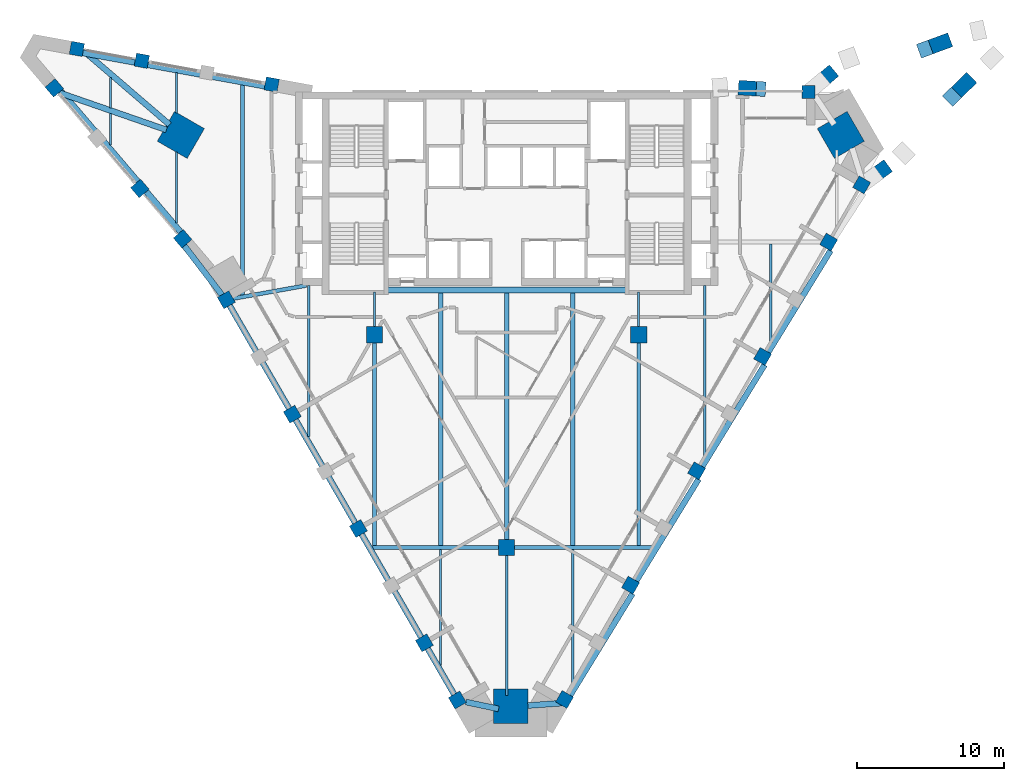
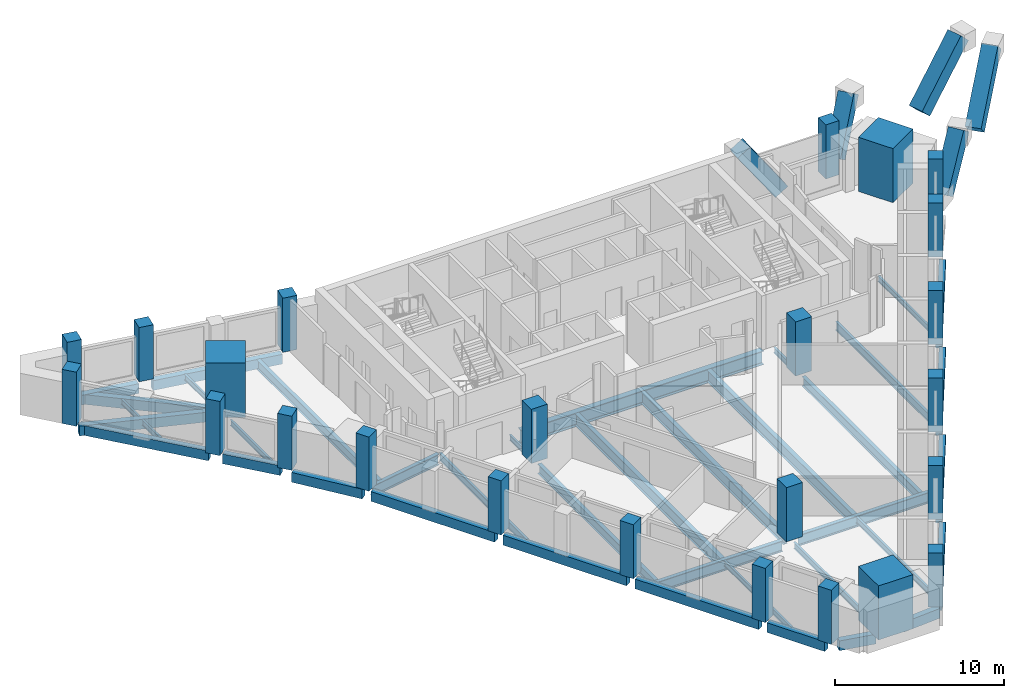
# One storey, part 1 of 9: 39 beams, 29 columns.
"""IFC4 building model written with IfcOpenShell, lengths in metres."""

from ifc_helpers import new_model, si_unit, direction, frame, origin, origin_2d, place, context, subcontext, project, spatial, rectangle, i_section, extrude, clip, halfspace, material, material_profile, profile_set, type_object, element, save


model = new_model("IFC4")

# Units and contexts
model_context = context("Model", 3, precision=1e-05, world=origin(), true_north=direction((0.0, 1.0)))
body_context = subcontext(model_context, "Body", "Model", "MODEL_VIEW")
ifc_project = project(units=[si_unit("LENGTHUNIT", "METRE"), si_unit("AREAUNIT", "SQUARE_METRE"), si_unit("VOLUMEUNIT", "CUBIC_METRE"), si_unit("PLANEANGLEUNIT", "RADIAN"), si_unit("MASSUNIT", "GRAM", prefix="KILO")], contexts=[model_context])

# Site, building, storey
site_placement = place(None, origin())
site = spatial("IfcSite", under=ifc_project, at=site_placement, CompositionType="ELEMENT")
building_placement = place(site_placement, origin())
building = spatial("IfcBuilding", under=site, at=building_placement, Name="Calabash Gate Tower", CompositionType="ELEMENT")
storey_placement = place(building_placement, frame((0.0, 0.0, 239.300048828125)))
storey = spatial("IfcBuildingStorey", under=building, at=storey_placement, Name="L57", CompositionType="ELEMENT", Elevation=239.300048828125)

# Columns
ifc_material_1 = material(Name="Concrete C60/75", Category="concrete")
ifc_material_profile_1 = material_profile(ifc_material_1, rectangle(XDim=1.10009765625, YDim=1.10009765625, at=origin_2d()))
ifc_profile_set_1 = profile_set([ifc_material_profile_1], Name="Concrete C60/75")
column_type_1 = type_object("IfcColumnType", Name="Interior column RC 1100x1100 Concrete C60/75", PredefinedType="COLUMN", material=ifc_profile_set_1)
for number, where, z_axis, x_axis, name in (
    (1, (-9.0, 2.5, 0.0), (0.0, 0.0, 1.0), (1.0, 0.0, 0.0), "Interior column L57 I0"),
    (2, (9.0, 2.5, 0.0), (0.0, 0.0, 1.0), (1.0, 0.0, 0.0), "Interior column L57 I1"),
    (3, (0.0, -12.0, 0.0), (0.0, 0.0, 1.0), (1.0, 0.0, 0.0), "Interior column L57 I2"),
):
    element("IfcColumn", number, at=place(storey_placement, frame(where, z_axis=z_axis, x_axis=x_axis)), inside=storey, type_object=column_type_1, Name=name, PredefinedType="COLUMN", context=body_context, shape_type="SweptSolid", body=[
        extrude(rectangle(XDim=1.10009765625, YDim=1.10009765625, at=origin_2d()), origin(), (0.0, 0.0, 1.0), 3.89990234375),
    ])
ifc_material_2 = material(Name="Concrete C70/85", Category="concrete")
ifc_material_profile_2 = material_profile(ifc_material_2, rectangle(XDim=2.35009765625, YDim=2.35009765625, at=origin_2d()))
ifc_profile_set_2 = profile_set([ifc_material_profile_2], Name="Concrete C70/85")
column_type_2 = type_object("IfcColumnType", Name="Mega column RC 2350x2350 Concrete C70/85", PredefinedType="COLUMN", material=ifc_profile_set_2)
for number, where, z_axis, x_axis, name in (
    (4, (-22.2060546875, 16.116943359375, 0.0), (0.0, 0.0, 1.0), (0.866025412511, -0.499999984885, 0.0), "Mega column L57 NW"),
    (5, (22.77392578125, 16.116943359375, 0.0), (0.0, 0.0, 1.0), (-0.866025412511, -0.499999984885, 0.0), "Mega column L57 NE"),
    (6, (0.283935546875, -22.8369140625, 0.0), (0.0, 0.0, 1.0), (0.0, 1.0, 0.0), "Mega column L57 S"),
):
    element("IfcColumn", number, at=place(storey_placement, frame(where, z_axis=z_axis, x_axis=x_axis)), inside=storey, type_object=column_type_2, Name=name, PredefinedType="COLUMN", context=body_context, shape_type="SweptSolid", body=[
        extrude(rectangle(XDim=2.35009765625, YDim=2.35009765625, at=origin_2d()), origin(), (0.0, 0.0, 1.0), 3.89990234375),
    ])
ifc_material_3 = material(Name="Concrete C60/75", Category="concrete")
ifc_material_profile_3 = material_profile(ifc_material_3, rectangle(XDim=0.89990234375, YDim=0.89990234375, at=origin_2d()))
ifc_profile_set_3 = profile_set([ifc_material_profile_3], Name="Concrete C60/75")
column_type_3 = type_object("IfcColumnType", Name="Perimeter column RC 900x900 Concrete C60/75", PredefinedType="COLUMN", material=ifc_profile_set_3)
for number, where, z_axis, x_axis, name in (
    (7, (-19.10693359375, 4.8779296875, 0.0), (0.0, 0.0, 1.0), (0.5, -0.866025403784, 0.0), "Perimeter column L57 P00"),
    (8, (-14.60693359375, -2.9169921875, 0.0), (0.0, 0.0, 1.0), (0.5, -0.866025403784, 0.0), "Perimeter column L57 P01"),
    (9, (-10.10693359375, -10.7109375, 0.0), (0.0, 0.0, 1.0), (0.5, -0.866025403784, 0.0), "Perimeter column L57 P02"),
    (10, (-5.60693359375, -18.5029296875, 0.0), (0.0, 0.0, 1.0), (0.5, -0.866025403784, 0.0), "Perimeter column L57 P03"),
    (11, (-3.35693359375, -22.402099609375, 0.0), (0.0, 0.0, 1.0), (0.5, -0.866025403784, 0.0), "Perimeter column L57 P25"),
    (12, (3.946044921875, -22.363037109375, 0.0), (0.0, 0.0, 1.0), (0.5, 0.866025403784, 0.0), "Perimeter column L57 P08"),
    (13, (8.446044921875, -14.571044921875, 0.0), (0.0, 0.0, 1.0), (0.5, 0.866025403784, 0.0), "Perimeter column L57 P09"),
    (14, (12.946044921875, -6.77587890625, 0.0), (0.0, 0.0, 1.0), (0.5, 0.866025403784, 0.0), "Perimeter column L57 P10"),
    (15, (17.446044921875, 1.01806640625, 0.0), (0.0, 0.0, 1.0), (0.5, 0.866025403784, 0.0), "Perimeter column L57 P11"),
    (16, (21.946044921875, 8.81201171875, 0.0), (0.0, 0.0, 1.0), (0.5, 0.866025403784, 0.0), "Perimeter column L57 P12"),
    (17, (24.196044921875, 12.708984375, 0.0), (0.0, 0.0, 1.0), (0.5, 0.866025403784, 0.0), "Perimeter column L57 P13"),
    (18, (20.576904296875, 19.052978515625, 0.0), (0.0, 0.0, 1.0), (-1.0, 0.0, 0.0), "Perimeter column L57 P24"),
    (19, (-16.012939453125, 19.551025390625, 0.0), (0.0, 0.0, 1.0), (-0.983669930074, 0.179981856499, 0.0), "Perimeter column L57 P31"),
    (20, (-24.865966796875, 21.1708984375, 0.0), (0.0, 0.0, 1.0), (-0.983669930074, 0.179981856499, 0.0), "Perimeter column L57 P32"),
    (21, (-29.29296875, 21.97998046875, 0.0), (0.0, 0.0, 1.0), (-0.983669930074, 0.179981856499, 0.0), "Perimeter column L57 P33"),
    (22, (-30.827880859375, 19.322021484375, 0.0), (0.0, 0.0, 1.0), (0.647703824985, -0.761892220133, 0.0), "Perimeter column L57 P34"),
    (23, (-24.998046875, 12.467041015625, 0.0), (0.0, 0.0, 1.0), (0.647703824985, -0.761892220133, 0.0), "Perimeter column L57 P20"),
    (24, (-22.083984375, 9.037109375, 0.0), (0.0, 0.0, 1.0), (0.647703824985, -0.761892220133, 0.0), "Perimeter column L57 P35"),
):
    element("IfcColumn", number, at=place(storey_placement, frame(where, z_axis=z_axis, x_axis=x_axis)), inside=storey, type_object=column_type_3, Name=name, PredefinedType="COLUMN", context=body_context, shape_type="SweptSolid", body=[
        extrude(rectangle(XDim=0.89990234375, YDim=0.89990234375, at=origin_2d()), origin(), (0.0, 0.0, 1.0), 3.89990234375),
    ])
ifc_material_4 = material(Name="Concrete C80/95", Category="concrete")
ifc_material_profile_4 = material_profile(ifc_material_4, rectangle(XDim=1.0, YDim=1.0, at=origin_2d()))
ifc_profile_set_4 = profile_set([ifc_material_profile_4], Name="Concrete C80/95")
column_type_4 = type_object("IfcColumnType", Name="Prow kicker column RC 1000x1000 Concrete C80/95", PredefinedType="COLUMN", material=ifc_profile_set_4)
column_1_placement = place(storey_placement, frame((25.02587890625, 13.31396484375, 0.39599609375), z_axis=(0.478242024109, 0.347950288453, 0.806359202305), x_axis=(-0.652042333369, -0.474400630939, 0.591426104309)))
element("IfcColumn", 25, at=column_1_placement, inside=storey, type_object=column_type_4, Name="Prow kicker column L57 KP36", PredefinedType="COLUMN", context=body_context, shape_type="Clipping", body=[
    clip(extrude(rectangle(XDim=1.0, YDim=1.0, at=origin_2d()), origin(), (0.0, 0.0, 1.0), 4.345458984375), halfspace(frame((0.0, 0.0, 3.973388671875), z_axis=(0.0, 0.0, 1.0), x_axis=(1.0, 0.0, 0.0)), False)),
])
column_2_placement = place(storey_placement, frame((30.29296875, 18.656982421875, 0.0), z_axis=(0.514569967643, 0.501375865909, 0.695586076258), x_axis=(-0.498199328917, -0.48542498715, 0.718442767739)))
element("IfcColumn", 26, at=column_2_placement, inside=storey, type_object=column_type_4, Name="Prow kicker column L57 KP37", PredefinedType="COLUMN", context=body_context, shape_type="Clipping", body=[
    clip(extrude(rectangle(XDim=1.0, YDim=1.0, at=origin_2d()), origin(), (0.0, 0.0, 1.0), 5.606689453125), halfspace(frame((0.0, 0.0, 5.084716796875), z_axis=(0.0, 0.0, 1.0), x_axis=(1.0, 0.0, 0.0)), False)),
])
column_3_placement = place(storey_placement, frame((28.429931640625, 21.93994140625, 0.0), z_axis=(0.666416996254, 0.245206544756, 0.704103783197), x_axis=(-0.660792364474, -0.243136974904, 0.710097079622)))
element("IfcColumn", 27, at=column_3_placement, inside=storey, type_object=column_type_4, Name="Prow kicker column L57 KP38", PredefinedType="COLUMN", context=body_context, shape_type="Clipping", body=[
    clip(extrude(rectangle(XDim=1.0, YDim=1.0, at=origin_2d()), origin(), (0.0, 0.0, 1.0), 5.538818359375), halfspace(frame((0.0, 0.0, 5.02880859375), z_axis=(0.0, 0.0, 1.0), x_axis=(1.0, 0.0, 0.0)), False)),
])
column_4_placement = place(storey_placement, frame((21.39697265625, 19.739013671875, 0.391845703125), z_axis=(0.447960914657, 0.374807146122, 0.811696139054), x_axis=(-0.622531470704, -0.520869647934, 0.584079941313)))
element("IfcColumn", 28, at=column_4_placement, inside=storey, type_object=column_type_4, Name="Prow kicker column L57 KP39", PredefinedType="COLUMN", context=body_context, shape_type="Clipping", body=[
    clip(extrude(rectangle(XDim=1.0, YDim=1.0, at=origin_2d()), origin(), (0.0, 0.0, 1.0), 4.32177734375), halfspace(frame((0.0, 0.0, 3.954833984375), z_axis=(0.0, 0.0, 1.0), x_axis=(1.0, 0.0, 0.0)), False)),
])
column_5_placement = place(storey_placement, frame((17.237060546875, 19.256103515625, 0.0), z_axis=(-0.567902108836, 0.034338745952, 0.822379501998), x_axis=(0.820880247735, -0.04963531187, 0.568939324264)))
element("IfcColumn", 29, at=column_5_placement, inside=storey, type_object=column_type_4, Name="Prow kicker column L57 KP40", PredefinedType="COLUMN", context=body_context, shape_type="Clipping", body=[
    clip(extrude(rectangle(XDim=1.0, YDim=1.0, at=origin_2d()), origin(), (0.0, 0.0, 1.0), 4.7421875), halfspace(frame((0.0, 0.0, 4.392333984375), z_axis=(0.0, 0.0, 1.0), x_axis=(1.0, 0.0, 0.0)), False)),
])

# Beams
ifc_material_5 = material(Name="Concrete C50/60", Category="concrete")
ifc_material_profile_5 = material_profile(ifc_material_5, rectangle(XDim=0.39990234375, YDim=0.699951171875, at=origin_2d()))
ifc_profile_set_5 = profile_set([ifc_material_profile_5], Name="Concrete C50/60")
beam_type_1 = type_object("IfcBeamType", Name="Edge beam RC 400x700 Concrete C50/60", PredefinedType="BEAM", material=ifc_profile_set_5)
beam_1_placement = place(storey_placement, frame((-14.39306640625, -3.282958984375, -0.52001953125), z_axis=(0.499782711929, -0.86615081877, 0.0), x_axis=(0.86615081877, 0.499782711929, 0.0)))
element("IfcBeam", 30, at=beam_1_placement, inside=storey, type_object=beam_type_1, Name="Edge beam L57 1", PredefinedType="BEAM", context=body_context, shape_type="SweptSolid", body=[
    extrude(rectangle(XDim=0.39990234375, YDim=0.699951171875, at=origin_2d()), origin(), (0.0, 0.0, 1.0), 8.417724609375),
])
beam_2_placement = place(storey_placement, frame((-9.89306640625, -11.0791015625, -0.52001953125), z_axis=(0.499895729157, -0.866085596215, 0.0), x_axis=(0.866085596215, 0.499895729157, 0.0)))
element("IfcBeam", 31, at=beam_2_placement, inside=storey, type_object=beam_type_1, Name="Edge beam L57 2", PredefinedType="BEAM", context=body_context, shape_type="SweptSolid", body=[
    extrude(rectangle(XDim=0.39990234375, YDim=0.699951171875, at=origin_2d()), origin(), (0.0, 0.0, 1.0), 8.415771484375),
])
beam_3_placement = place(storey_placement, frame((-5.39306640625, -18.873046875, -0.52001953125), z_axis=(0.499976213158, -0.866039136689, 0.0), x_axis=(0.866039136689, 0.499976213158, 0.0)))
element("IfcBeam", 32, at=beam_3_placement, inside=storey, type_object=beam_type_1, Name="Edge beam L57 3", PredefinedType="BEAM", context=body_context, shape_type="SweptSolid", body=[
    extrude(rectangle(XDim=0.39990234375, YDim=0.699951171875, at=origin_2d()), origin(), (0.0, 0.0, 1.0), 3.914306640625),
])
beam_4_placement = place(storey_placement, frame((-2.780029296875, -22.533935546875, -0.52001953125), z_axis=(0.978365528321, -0.206883766868, 0.0), x_axis=(0.206883766868, 0.978365528321, 0.0)))
element("IfcBeam", 33, at=beam_4_placement, inside=storey, type_object=beam_type_1, Name="Edge beam L57 4", PredefinedType="BEAM", context=body_context, shape_type="SweptSolid", body=[
    extrude(rectangle(XDim=0.39990234375, YDim=0.699951171875, at=origin_2d()), origin(), (0.0, 0.0, 1.0), 2.2822265625),
])
beam_5_placement = place(storey_placement, frame((1.447021484375, -22.777099609375, -0.52001953125), z_axis=(0.997431969311, 0.071620294589, 0.0), x_axis=(-0.071620294589, 0.997431969311, 0.0)))
element("IfcBeam", 34, at=beam_5_placement, inside=storey, type_object=beam_type_1, Name="Edge beam L57 5", PredefinedType="BEAM", context=body_context, shape_type="SweptSolid", body=[
    extrude(rectangle(XDim=0.39990234375, YDim=0.699951171875, at=origin_2d()), origin(), (0.0, 0.0, 1.0), 2.556640625),
])
beam_6_placement = place(storey_placement, frame((4.323974609375, -22.089111328125, -0.52001953125), z_axis=(0.522633729228, 0.852557320696, 0.0), x_axis=(-0.852557320696, 0.522633729228, 0.0)))
element("IfcBeam", 35, at=beam_6_placement, inside=storey, type_object=beam_type_1, Name="Edge beam L57 6", PredefinedType="BEAM", context=body_context, shape_type="SweptSolid", body=[
    extrude(rectangle(XDim=0.39990234375, YDim=0.699951171875, at=origin_2d()), origin(), (0.0, 0.0, 1.0), 8.147216796875),
])
beam_7_placement = place(storey_placement, frame((8.823974609375, -14.2939453125, -0.52001953125), z_axis=(0.522700496269, 0.852516387643, 0.0), x_axis=(-0.852516387643, 0.522700496269, 0.0)))
element("IfcBeam", 36, at=beam_7_placement, inside=storey, type_object=beam_type_1, Name="Edge beam L57 7", PredefinedType="BEAM", context=body_context, shape_type="SweptSolid", body=[
    extrude(rectangle(XDim=0.39990234375, YDim=0.699951171875, at=origin_2d()), origin(), (0.0, 0.0, 1.0), 8.146240234375),
])
beam_8_placement = place(storey_placement, frame((13.323974609375, -6.5, -0.52001953125), z_axis=(0.522580325568, 0.852590055847, 0.0), x_axis=(-0.852590055847, 0.522580325568, 0.0)))
element("IfcBeam", 37, at=beam_8_placement, inside=storey, type_object=beam_type_1, Name="Edge beam L57 8", PredefinedType="BEAM", context=body_context, shape_type="SweptSolid", body=[
    extrude(rectangle(XDim=0.39990234375, YDim=0.699951171875, at=origin_2d()), origin(), (0.0, 0.0, 1.0), 8.148193359375),
])
beam_9_placement = place(storey_placement, frame((17.823974609375, 1.2939453125, -0.52001953125), z_axis=(0.522633729228, 0.852557320696, 0.0), x_axis=(-0.852557320696, 0.522633729228, 0.0)))
element("IfcBeam", 38, at=beam_9_placement, inside=storey, type_object=beam_type_1, Name="Edge beam L57 9", PredefinedType="BEAM", context=body_context, shape_type="SweptSolid", body=[
    extrude(rectangle(XDim=0.39990234375, YDim=0.699951171875, at=origin_2d()), origin(), (0.0, 0.0, 1.0), 8.147216796875),
])
beam_10_placement = place(storey_placement, frame((-16.491943359375, 19.43701171875, -0.52001953125), z_axis=(-0.983710376503, 0.179760660767, 0.0), x_axis=(-0.179760660767, -0.983710376503, 0.0)))
element("IfcBeam", 39, at=beam_10_placement, inside=storey, type_object=beam_type_1, Name="Edge beam L57 13", PredefinedType="BEAM", context=body_context, shape_type="SweptSolid", body=[
    extrude(rectangle(XDim=0.39990234375, YDim=0.699951171875, at=origin_2d()), origin(), (0.0, 0.0, 1.0), 8.099853515625),
])
beam_11_placement = place(storey_placement, frame((-25.343017578125, 21.056884765625, -0.52001953125), z_axis=(-0.983780846892, 0.179374594879, 0.0), x_axis=(-0.179374594879, -0.983780846892, 0.0)))
element("IfcBeam", 40, at=beam_11_placement, inside=storey, type_object=beam_type_1, Name="Edge beam L57 14", PredefinedType="BEAM", context=body_context, shape_type="SweptSolid", body=[
    extrude(rectangle(XDim=0.39990234375, YDim=0.699951171875, at=origin_2d()), origin(), (0.0, 0.0, 1.0), 3.601318359375),
])
beam_12_placement = place(storey_placement, frame((-28.873046875, 21.883056640625, -0.52001953125), z_axis=(0.758517949113, -0.651652147141, 0.0), x_axis=(0.651652147141, 0.758517949113, 0.0)))
element("IfcBeam", 41, at=beam_12_placement, inside=storey, type_object=beam_type_1, Name="Edge beam L57 15", PredefinedType="BEAM", context=body_context, shape_type="SweptSolid", body=[
    extrude(rectangle(XDim=0.39990234375, YDim=0.699951171875, at=origin_2d()), origin(), (0.0, 0.0, 1.0), 7.7744140625),
])
beam_13_placement = place(storey_placement, frame((-23.18408203125, 16.45703125, -0.52001953125), z_axis=(-0.944686766609, 0.3279739517, 0.0), x_axis=(-0.3279739517, -0.944686766609, 0.0)))
element("IfcBeam", 42, at=beam_13_placement, inside=storey, type_object=beam_type_1, Name="Edge beam L57 16", PredefinedType="BEAM", context=body_context, shape_type="SweptSolid", body=[
    extrude(rectangle(XDim=0.39990234375, YDim=0.699951171875, at=origin_2d()), origin(), (0.0, 0.0, 1.0), 7.778076171875),
])
beam_14_placement = place(storey_placement, frame((-30.384033203125, 19.10888671875, -0.52001953125), z_axis=(0.647777896435, -0.761829243919, 0.0), x_axis=(0.761829243919, 0.647777896435, 0.0)))
element("IfcBeam", 43, at=beam_14_placement, inside=storey, type_object=beam_type_1, Name="Edge beam L57 17", PredefinedType="BEAM", context=body_context, shape_type="SweptSolid", body=[
    extrude(rectangle(XDim=0.39990234375, YDim=0.699951171875, at=origin_2d()), origin(), (0.0, 0.0, 1.0), 8.10009765625),
])
beam_15_placement = place(storey_placement, frame((-24.553955078125, 12.251953125, -0.52001953125), z_axis=(0.647579511056, -0.761997885076, 0.0), x_axis=(0.761997885076, 0.647579511056, 0.0)))
element("IfcBeam", 44, at=beam_15_placement, inside=storey, type_object=beam_type_1, Name="Edge beam L57 18", PredefinedType="BEAM", context=body_context, shape_type="SweptSolid", body=[
    extrude(rectangle(XDim=0.39990234375, YDim=0.699951171875, at=origin_2d()), origin(), (0.0, 0.0, 1.0), 3.599609375),
])
beam_16_placement = place(storey_placement, frame((-21.972900390625, 8.56689453125, -0.52001953125), z_axis=(0.607868337106, -0.794037835839, 0.0), x_axis=(0.794037835839, 0.607868337106, 0.0)))
element("IfcBeam", 45, at=beam_16_placement, inside=storey, type_object=beam_type_1, Name="Edge beam L57 19", PredefinedType="BEAM", context=body_context, shape_type="SweptSolid", body=[
    extrude(rectangle(XDim=0.39990234375, YDim=0.699951171875, at=origin_2d()), origin(), (0.0, 0.0, 1.0), 4.505859375),
])
beam_17_placement = place(storey_placement, frame((-18.89306640625, 4.510009765625, -0.52001953125), z_axis=(0.499832936549, -0.86612183643, 0.0), x_axis=(0.86612183643, 0.499832936549, 0.0)))
element("IfcBeam", 46, at=beam_17_placement, inside=storey, type_object=beam_type_1, Name="Edge beam L57 20", PredefinedType="BEAM", context=body_context, shape_type="SweptSolid", body=[
    extrude(rectangle(XDim=0.39990234375, YDim=0.699951171875, at=origin_2d()), origin(), (0.0, 0.0, 1.0), 8.4169921875),
])
ifc_material_6 = material(Name="Steel ASTM A992 Gr50", Category="steel")
ifc_material_profile_6 = material_profile(ifc_material_6, i_section(OverallWidth=0.1396484375, OverallDepth=0.398681640625, WebThickness=0.00634765625, FlangeThickness=0.0087890625, FilletRadius=0.01025390625, at=origin_2d()))
ifc_profile_set_6 = profile_set([ifc_material_profile_6], Name="Steel ASTM A992 Gr50")
beam_type_2 = type_object("IfcBeamType", Name="Floor beam W16x26 ASTM A992 Gr50", PredefinedType="BEAM", material=ifc_profile_set_6)
beam_18_placement = place(storey_placement, frame((-27.0, 15.416015625, -0.369140625), z_axis=(0.0, 1.0, 0.0), x_axis=(-1.0, 0.0, 0.0)))
element("IfcBeam", 47, at=beam_18_placement, inside=storey, type_object=beam_type_2, Name="Floor beam L57 1", PredefinedType="BEAM", context=body_context, shape_type="SweptSolid", body=[
    extrude(i_section(OverallWidth=0.1396484375, OverallDepth=0.398681640625, WebThickness=0.00634765625, FlangeThickness=0.0087890625, FilletRadius=0.01025390625, at=origin_2d()), origin(), (0.0, 0.0, 1.0), 2.1650390625),
])
beam_19_placement = place(storey_placement, frame((-27.0, 17.9609375, -0.369140625), z_axis=(0.0, 1.0, 0.0), x_axis=(-1.0, 0.0, 0.0)))
element("IfcBeam", 48, at=beam_19_placement, inside=storey, type_object=beam_type_2, Name="Floor beam L57 2", PredefinedType="BEAM", context=body_context, shape_type="SweptSolid", body=[
    extrude(i_section(OverallWidth=0.1396484375, OverallDepth=0.398681640625, WebThickness=0.00634765625, FlangeThickness=0.0087890625, FilletRadius=0.01025390625, at=origin_2d()), origin(), (0.0, 0.0, 1.0), 2.071044921875),
])
beam_20_placement = place(storey_placement, frame((-22.5, 10.1220703125, -0.369140625), z_axis=(0.0, 1.0, 0.0), x_axis=(-1.0, 0.0, 0.0)))
element("IfcBeam", 49, at=beam_20_placement, inside=storey, type_object=beam_type_2, Name="Floor beam L57 3", PredefinedType="BEAM", context=body_context, shape_type="SweptSolid", body=[
    extrude(i_section(OverallWidth=0.1396484375, OverallDepth=0.398681640625, WebThickness=0.00634765625, FlangeThickness=0.0087890625, FilletRadius=0.01025390625, at=origin_2d()), origin(), (0.0, 0.0, 1.0), 4.830810546875),
])
beam_21_placement = place(storey_placement, frame((-22.5, 17.6201171875, -0.369140625), z_axis=(0.0, 1.0, 0.0), x_axis=(-1.0, 0.0, 0.0)))
element("IfcBeam", 50, at=beam_21_placement, inside=storey, type_object=beam_type_2, Name="Floor beam L57 4", PredefinedType="BEAM", context=body_context, shape_type="SweptSolid", body=[
    extrude(i_section(OverallWidth=0.1396484375, OverallDepth=0.398681640625, WebThickness=0.00634765625, FlangeThickness=0.0087890625, FilletRadius=0.01025390625, at=origin_2d()), origin(), (0.0, 0.0, 1.0), 2.742919921875),
])
beam_22_placement = place(storey_placement, frame((-9.0, 3.050048828125, -0.369140625), z_axis=(0.0, 1.0, 0.0), x_axis=(-1.0, 0.0, 0.0)))
element("IfcBeam", 51, at=beam_22_placement, inside=storey, type_object=beam_type_2, Name="Floor beam L57 8", PredefinedType="BEAM", context=body_context, shape_type="SweptSolid", body=[
    extrude(i_section(OverallWidth=0.1396484375, OverallDepth=0.398681640625, WebThickness=0.00634765625, FlangeThickness=0.0087890625, FilletRadius=0.01025390625, at=origin_2d()), origin(), (0.0, 0.0, 1.0), 2.35302734375),
])
beam_23_placement = place(storey_placement, frame((-4.5, -20.053955078125, -0.369140625), z_axis=(0.0, 1.0, 0.0), x_axis=(-1.0, 0.0, 0.0)))
element("IfcBeam", 52, at=beam_23_placement, inside=storey, type_object=beam_type_2, Name="Floor beam L57 9", PredefinedType="BEAM", context=body_context, shape_type="SweptSolid", body=[
    extrude(i_section(OverallWidth=0.1396484375, OverallDepth=0.398681640625, WebThickness=0.00634765625, FlangeThickness=0.0087890625, FilletRadius=0.01025390625, at=origin_2d()), origin(), (0.0, 0.0, 1.0), 7.9208984375),
])
beam_24_placement = place(storey_placement, frame((9.0, 3.050048828125, -0.369140625), z_axis=(0.0, 1.0, 0.0), x_axis=(-1.0, 0.0, 0.0)))
element("IfcBeam", 53, at=beam_24_placement, inside=storey, type_object=beam_type_2, Name="Floor beam L57 16", PredefinedType="BEAM", context=body_context, shape_type="SweptSolid", body=[
    extrude(i_section(OverallWidth=0.1396484375, OverallDepth=0.398681640625, WebThickness=0.00634765625, FlangeThickness=0.0087890625, FilletRadius=0.01025390625, at=origin_2d()), origin(), (0.0, 0.0, 1.0), 2.35302734375),
])
beam_25_placement = place(storey_placement, frame((18.0, 1.947021484375, -0.369140625), z_axis=(0.0, 1.0, 0.0), x_axis=(-1.0, 0.0, 0.0)))
element("IfcBeam", 54, at=beam_25_placement, inside=storey, type_object=beam_type_2, Name="Floor beam L57 18", PredefinedType="BEAM", context=body_context, shape_type="SweptSolid", body=[
    extrude(i_section(OverallWidth=0.1396484375, OverallDepth=0.398681640625, WebThickness=0.00634765625, FlangeThickness=0.0087890625, FilletRadius=0.01025390625, at=origin_2d()), origin(), (0.0, 0.0, 1.0), 6.73193359375),
])
ifc_material_7 = material(Name="Steel ASTM A992 Gr50", Category="steel")
ifc_material_profile_7 = material_profile(ifc_material_7, i_section(OverallWidth=0.15234375, OverallDepth=0.44970703125, WebThickness=0.007568359375, FlangeThickness=0.0107421875, FilletRadius=0.01025390625, at=origin_2d()))
ifc_profile_set_7 = profile_set([ifc_material_profile_7], Name="Steel ASTM A992 Gr50")
beam_type_3 = type_object("IfcBeamType", Name="Floor beam W18x35 ASTM A992 Gr50", PredefinedType="BEAM", material=ifc_profile_set_7)
beam_26_placement = place(storey_placement, frame((0.0, -22.093994140625, -0.39306640625), z_axis=(0.0, 1.0, 0.0), x_axis=(-1.0, 0.0, 0.0)))
element("IfcBeam", 55, at=beam_26_placement, inside=storey, type_object=beam_type_3, Name="Floor beam L57 11", PredefinedType="BEAM", context=body_context, shape_type="SweptSolid", body=[
    extrude(i_section(OverallWidth=0.15234375, OverallDepth=0.44970703125, WebThickness=0.007568359375, FlangeThickness=0.0107421875, FilletRadius=0.01025390625, at=origin_2d()), origin(), (0.0, 0.0, 1.0), 9.5439453125),
])
beam_27_placement = place(storey_placement, frame((4.5, -21.43701171875, -0.39306640625), z_axis=(0.0, 1.0, 0.0), x_axis=(-1.0, 0.0, 0.0)))
element("IfcBeam", 56, at=beam_27_placement, inside=storey, type_object=beam_type_3, Name="Floor beam L57 13", PredefinedType="BEAM", context=body_context, shape_type="SweptSolid", body=[
    extrude(i_section(OverallWidth=0.15234375, OverallDepth=0.44970703125, WebThickness=0.007568359375, FlangeThickness=0.0107421875, FilletRadius=0.01025390625, at=origin_2d()), origin(), (0.0, 0.0, 1.0), 9.303955078125),
])
ifc_material_8 = material(Name="Steel ASTM A992 Gr50", Category="steel")
ifc_material_profile_8 = material_profile(ifc_material_8, i_section(OverallWidth=0.166015625, OverallDepth=0.5283203125, WebThickness=0.009765625, FlangeThickness=0.013671875, FilletRadius=0.0126953125, at=origin_2d()))
ifc_profile_set_8 = profile_set([ifc_material_profile_8], Name="Steel ASTM A992 Gr50")
beam_type_4 = type_object("IfcBeamType", Name="Floor beam W21x50 ASTM A992 Gr50", PredefinedType="BEAM", material=ifc_profile_set_8)
beam_28_placement = place(storey_placement, frame((-13.5, -4.446044921875, -0.43408203125), z_axis=(0.0, 1.0, 0.0), x_axis=(-1.0, 0.0, 0.0)))
element("IfcBeam", 57, at=beam_28_placement, inside=storey, type_object=beam_type_4, Name="Floor beam L57 6", PredefinedType="BEAM", context=body_context, shape_type="SweptSolid", body=[
    extrude(i_section(OverallWidth=0.166015625, OverallDepth=0.5283203125, WebThickness=0.009765625, FlangeThickness=0.013671875, FilletRadius=0.0126953125, at=origin_2d()), origin(), (0.0, 0.0, 1.0), 10.299072265625),
])
ifc_material_9 = material(Name="Steel ASTM A992 Gr50", Category="steel")
ifc_material_profile_9 = material_profile(ifc_material_9, i_section(OverallWidth=0.1787109375, OverallDepth=0.60205078125, WebThickness=0.010986328125, FlangeThickness=0.014892578125, FilletRadius=0.0126953125, at=origin_2d()))
ifc_profile_set_9 = profile_set([ifc_material_profile_9], Name="Steel ASTM A992 Gr50")
beam_type_5 = type_object("IfcBeamType", Name="Floor beam W24x62 ASTM A992 Gr50", PredefinedType="BEAM", material=ifc_profile_set_9)
beam_29_placement = place(storey_placement, frame((13.5, -5.84912109375, -0.470947265625), z_axis=(0.0, 1.0, 0.0), x_axis=(-1.0, 0.0, 0.0)))
element("IfcBeam", 58, at=beam_29_placement, inside=storey, type_object=beam_type_5, Name="Floor beam L57 17", PredefinedType="BEAM", context=body_context, shape_type="SweptSolid", body=[
    extrude(i_section(OverallWidth=0.1787109375, OverallDepth=0.60205078125, WebThickness=0.010986328125, FlangeThickness=0.014892578125, FilletRadius=0.0126953125, at=origin_2d()), origin(), (0.0, 0.0, 1.0), 11.7021484375),
])
ifc_material_10 = material(Name="Steel ASTM A992 Gr50", Category="steel")
ifc_material_profile_10 = material_profile(ifc_material_10, i_section(OverallWidth=0.25390625, OverallDepth=0.67822265625, WebThickness=0.01171875, FlangeThickness=0.016357421875, FilletRadius=0.01513671875, at=origin_2d()))
ifc_profile_set_10 = profile_set([ifc_material_profile_10], Name="Steel ASTM A992 Gr50")
beam_type_6 = type_object("IfcBeamType", Name="Floor beam W27x84 ASTM A992 Gr50", PredefinedType="BEAM", material=ifc_profile_set_10)
beam_30_placement = place(storey_placement, frame((-18.0, 5.179931640625, -0.509033203125), z_axis=(0.0, 1.0, 0.0), x_axis=(-1.0, 0.0, 0.0)))
element("IfcBeam", 59, at=beam_30_placement, inside=storey, type_object=beam_type_6, Name="Floor beam L57 5", PredefinedType="BEAM", context=body_context, shape_type="SweptSolid", body=[
    extrude(i_section(OverallWidth=0.25390625, OverallDepth=0.67822265625, WebThickness=0.01171875, FlangeThickness=0.016357421875, FilletRadius=0.01513671875, at=origin_2d()), origin(), (0.0, 0.0, 1.0), 14.360107421875),
])
beam_31_placement = place(storey_placement, frame((-9.0, -11.8798828125, -0.509033203125), z_axis=(0.0, 1.0, 0.0), x_axis=(-1.0, 0.0, 0.0)))
element("IfcBeam", 60, at=beam_31_placement, inside=storey, type_object=beam_type_6, Name="Floor beam L57 7", PredefinedType="BEAM", context=body_context, shape_type="SweptSolid", body=[
    extrude(i_section(OverallWidth=0.25390625, OverallDepth=0.67822265625, WebThickness=0.01171875, FlangeThickness=0.016357421875, FilletRadius=0.01513671875, at=origin_2d()), origin(), (0.0, 0.0, 1.0), 13.829833984375),
])
beam_32_placement = place(storey_placement, frame((9.0, -11.866943359375, -0.509033203125), z_axis=(0.0, 1.0, 0.0), x_axis=(-1.0, 0.0, 0.0)))
element("IfcBeam", 61, at=beam_32_placement, inside=storey, type_object=beam_type_6, Name="Floor beam L57 15", PredefinedType="BEAM", context=body_context, shape_type="SweptSolid", body=[
    extrude(i_section(OverallWidth=0.25390625, OverallDepth=0.67822265625, WebThickness=0.01171875, FlangeThickness=0.016357421875, FilletRadius=0.01513671875, at=origin_2d()), origin(), (0.0, 0.0, 1.0), 13.81689453125),
])
ifc_material_11 = material(Name="Steel ASTM A992 Gr50", Category="steel")
ifc_material_profile_11 = material_profile(ifc_material_11, i_section(OverallWidth=0.2919921875, OverallDepth=0.845703125, WebThickness=0.015380859375, FlangeThickness=0.0244140625, FilletRadius=0.017822265625, at=origin_2d()))
ifc_profile_set_11 = profile_set([ifc_material_profile_11], Name="Steel ASTM A992 Gr50")
beam_type_7 = type_object("IfcBeamType", Name="Floor beam W33x141 ASTM A992 Gr50", PredefinedType="BEAM", material=ifc_profile_set_11)
beam_33_placement = place(storey_placement, frame((-4.5, -11.866943359375, -0.593017578125), z_axis=(0.0, 1.0, 0.0), x_axis=(-1.0, 0.0, 0.0)))
element("IfcBeam", 62, at=beam_33_placement, inside=storey, type_object=beam_type_7, Name="Floor beam L57 10", PredefinedType="BEAM", context=body_context, shape_type="SweptSolid", body=[
    extrude(i_section(OverallWidth=0.2919921875, OverallDepth=0.845703125, WebThickness=0.015380859375, FlangeThickness=0.0244140625, FilletRadius=0.017822265625, at=origin_2d()), origin(), (0.0, 0.0, 1.0), 17.218994140625),
])
beam_34_placement = place(storey_placement, frame((0.0, -11.449951171875, -0.593017578125), z_axis=(0.0, 1.0, 0.0), x_axis=(-1.0, 0.0, 0.0)))
element("IfcBeam", 63, at=beam_34_placement, inside=storey, type_object=beam_type_7, Name="Floor beam L57 12", PredefinedType="BEAM", context=body_context, shape_type="SweptSolid", body=[
    extrude(i_section(OverallWidth=0.2919921875, OverallDepth=0.845703125, WebThickness=0.015380859375, FlangeThickness=0.0244140625, FilletRadius=0.017822265625, at=origin_2d()), origin(), (0.0, 0.0, 1.0), 16.802001953125),
])
beam_35_placement = place(storey_placement, frame((4.5, -11.866943359375, -0.593017578125), z_axis=(0.0, 1.0, 0.0), x_axis=(-1.0, 0.0, 0.0)))
element("IfcBeam", 64, at=beam_35_placement, inside=storey, type_object=beam_type_7, Name="Floor beam L57 14", PredefinedType="BEAM", context=body_context, shape_type="SweptSolid", body=[
    extrude(i_section(OverallWidth=0.2919921875, OverallDepth=0.845703125, WebThickness=0.015380859375, FlangeThickness=0.0244140625, FilletRadius=0.017822265625, at=origin_2d()), origin(), (0.0, 0.0, 1.0), 17.218994140625),
])
ifc_material_12 = material(Name="Steel ASTM A992 Gr50", Category="steel")
ifc_material_profile_12 = material_profile(ifc_material_12, i_section(OverallWidth=0.2666015625, OverallDepth=0.77978515625, WebThickness=0.0166015625, FlangeThickness=0.030029296875, FilletRadius=0.0166015625, at=origin_2d()))
ifc_profile_set_12 = profile_set([ifc_material_profile_12], Name="Steel ASTM A992 Gr50")
beam_type_8 = type_object("IfcBeamType", Name="Girder W30x148 ASTM A992 Gr50", PredefinedType="BEAM", material=ifc_profile_set_12)
beam_36_placement = place(storey_placement, frame((-18.657958984375, 4.9580078125, -0.56005859375), z_axis=(0.984297088415, 0.176519805509, 0.0), x_axis=(-0.176519805509, 0.984297088415, 0.0)))
element("IfcBeam", 65, at=beam_36_placement, inside=storey, type_object=beam_type_8, Name="Girder L57 2", PredefinedType="BEAM", context=body_context, shape_type="SweptSolid", body=[
    extrude(i_section(OverallWidth=0.2666015625, OverallDepth=0.77978515625, WebThickness=0.0166015625, FlangeThickness=0.030029296875, FilletRadius=0.0166015625, at=origin_2d()), origin(), (0.0, 0.0, 1.0), 5.0869140625),
])
beam_37_placement = place(storey_placement, frame((-9.153076171875, -12.0, -0.56005859375), z_axis=(1.0, 0.0, 0.0), x_axis=(0.0, 1.0, 0.0)))
element("IfcBeam", 66, at=beam_37_placement, inside=storey, type_object=beam_type_8, Name="Girder L57 4", PredefinedType="BEAM", context=body_context, shape_type="SweptSolid", body=[
    extrude(i_section(OverallWidth=0.2666015625, OverallDepth=0.77978515625, WebThickness=0.0166015625, FlangeThickness=0.030029296875, FilletRadius=0.0166015625, at=origin_2d()), origin(), (0.0, 0.0, 1.0), 8.60302734375),
])
beam_38_placement = place(storey_placement, frame((0.550048828125, -12.0, -0.56005859375), z_axis=(1.0, 0.0, 0.0), x_axis=(0.0, 1.0, 0.0)))
element("IfcBeam", 67, at=beam_38_placement, inside=storey, type_object=beam_type_8, Name="Girder L57 5", PredefinedType="BEAM", context=body_context, shape_type="SweptSolid", body=[
    extrude(i_section(OverallWidth=0.2666015625, OverallDepth=0.77978515625, WebThickness=0.0166015625, FlangeThickness=0.030029296875, FilletRadius=0.0166015625, at=origin_2d()), origin(), (0.0, 0.0, 1.0), 9.469970703125),
])
ifc_material_13 = material(Name="Steel ASTM A992 Gr50", Category="steel")
ifc_material_profile_13 = material_profile(ifc_material_13, i_section(OverallWidth=0.4013671875, OverallDepth=1.000732421875, WebThickness=0.01904296875, FlangeThickness=0.0361328125, FilletRadius=0.030029296875, at=origin_2d()))
ifc_profile_set_13 = profile_set([ifc_material_profile_13], Name="Steel ASTM A992 Gr50")
beam_type_9 = type_object("IfcBeamType", Name="Girder W40x249 ASTM A992 Gr50", PredefinedType="BEAM", material=ifc_profile_set_13)
beam_39_placement = place(storey_placement, frame((-8.25, 5.552978515625, -0.670166015625), z_axis=(1.0, 0.0, 0.0), x_axis=(0.0, 1.0, 0.0)))
element("IfcBeam", 68, at=beam_39_placement, inside=storey, type_object=beam_type_9, Name="Girder L57 1", PredefinedType="BEAM", context=body_context, shape_type="SweptSolid", body=[
    extrude(i_section(OverallWidth=0.4013671875, OverallDepth=1.000732421875, WebThickness=0.01904296875, FlangeThickness=0.0361328125, FilletRadius=0.030029296875, at=origin_2d()), origin(), (0.0, 0.0, 1.0), 16.5),
])

save(model, "model.ifc")
